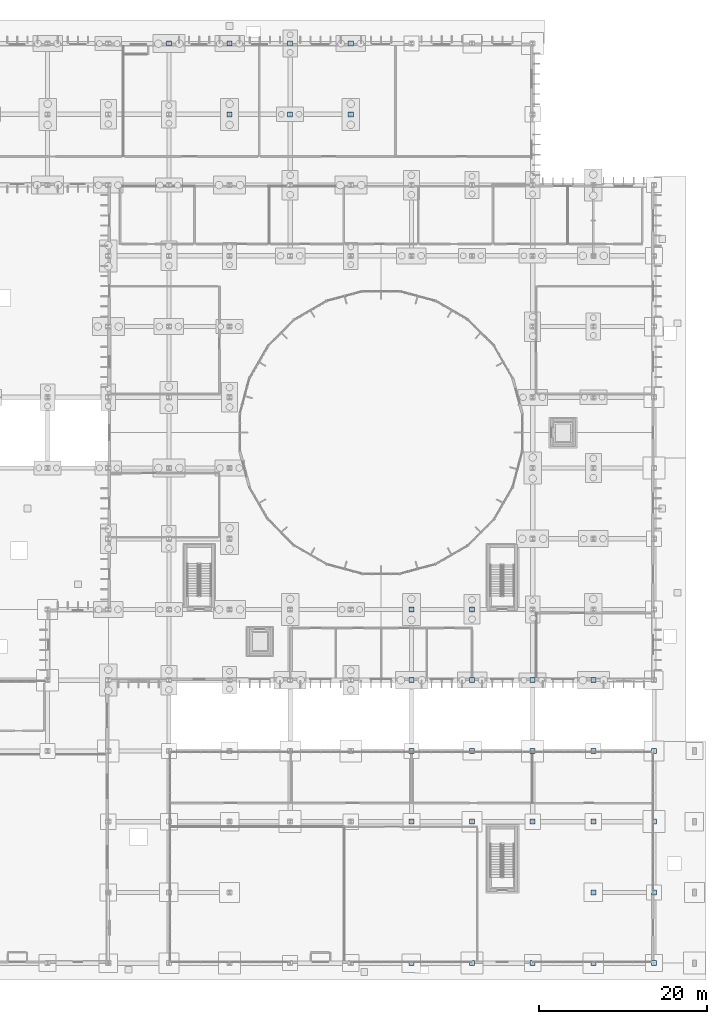
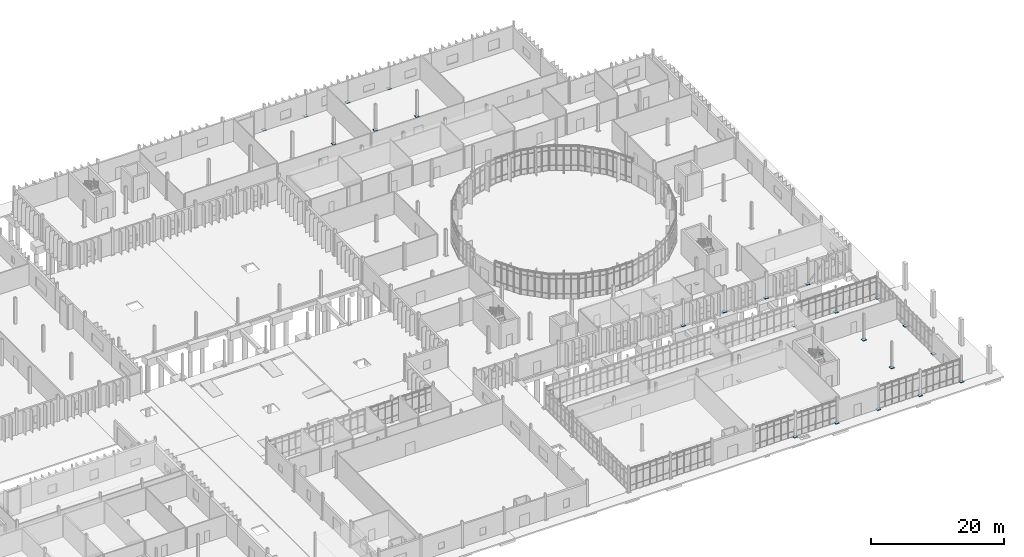
# One storey, part 84 of 118: 30 plates.
"""IFC4 building model written with IfcOpenShell, lengths in metres."""

import ifcopenshell
import ifcopenshell.guid

model = None  # the IFC model being written
_history = None  # IfcOwnerHistory: only IFC2X3 demands one
_inside = {}  # id of a spatial element -> (the spatial element, [elements in it])
_under = {}  # id of a project, library or spatial element -> (it, [spatial elements below it])
_declared = {}  # id of a project -> (the project, [libraries it declares])
_typed = {}  # id of a type object -> (the type object, [elements of that type])
_made_of = {}  # id of a material, layer set ... -> (it, [elements and type objects made of it])


def new_model(schema):
    """Start an empty IFC model of exactly this schema.

    Asked for "IFC4X3", IfcOpenShell would pick the latest addendum, in which some entities
    have other attributes; the version numbers below select the first issue.
    IFC2X3 requires an IfcOwnerHistory on every rooted entity: one is made here for all.
    """
    global model, _history
    if schema == "IFC4X3":
        model = ifcopenshell.file(schema_version=(4, 3, 0, 0))
    else:
        model = ifcopenshell.file(schema=schema)
    _inside.clear()
    _under.clear()
    _declared.clear()
    _typed.clear()
    _made_of.clear()
    _history = None
    if model.schema == "IFC2X3":
        org = make("IfcOrganization", Name="unknown")
        user = make(
            "IfcPersonAndOrganization",
            ThePerson=make("IfcPerson", FamilyName="unknown"),
            TheOrganization=org,
        )
        app = make(
            "IfcApplication",
            ApplicationDeveloper=org,
            Version="unknown",
            ApplicationFullName="unknown",
            ApplicationIdentifier="unknown",
        )
        _history = make(
            "IfcOwnerHistory",
            OwningUser=user,
            OwningApplication=app,
            ChangeAction="ADDED",
            CreationDate=0,
        )
    return model


def make(cls, **values):
    """One entity of the class cls with the attributes given. An attribute that is None is left unset."""
    return model.create_entity(
        cls, **{name: value for name, value in values.items() if value is not None}
    )


def rooted(cls, **values):
    """An entity with a GlobalId (a new one), such as an element, a storey or a relation."""
    return make(cls, GlobalId=ifcopenshell.guid.new(), OwnerHistory=_history, **values)


def si_unit(unit_type, name, prefix=None):
    """IfcSIUnit, for example si_unit("LENGTHUNIT", "METRE", prefix="MILLI")."""
    return make("IfcSIUnit", UnitType=unit_type, Prefix=prefix, Name=name)


def assignment(units):
    """IfcUnitAssignment: the units of a project."""
    return None if units is None else make("IfcUnitAssignment", Units=units)


def point(xyz):
    """IfcCartesianPoint."""
    return None if xyz is None else make("IfcCartesianPoint", Coordinates=xyz)


def direction(xyz):
    """IfcDirection."""
    return None if xyz is None else make("IfcDirection", DirectionRatios=xyz)


def frame(location, z_axis=None, x_axis=None):
    """IfcAxis2Placement3D, a coordinate frame: its origin and axes. An axis left out is left unset."""
    return make(
        "IfcAxis2Placement3D",
        Location=point(location),
        Axis=direction(z_axis),
        RefDirection=direction(x_axis),
    )


def frame_2d(location, x_axis=None):
    """IfcAxis2Placement2D, a coordinate frame in the plane: its origin and x axis."""
    return make(
        "IfcAxis2Placement2D", Location=point(location), RefDirection=direction(x_axis)
    )


def origin():
    """The frame at (0, 0, 0) with its axes left unset."""
    return frame((0.0, 0.0, 0.0))


def origin_2d():
    """The frame at (0, 0) in the plane with its x axis left unset."""
    return frame_2d((0.0, 0.0))


def place(relative_to, where):
    """IfcLocalPlacement: puts the frame where relative to a parent placement (None: the world)."""
    return make(
        "IfcLocalPlacement", PlacementRelTo=relative_to, RelativePlacement=where
    )


def context(
    kind, dimensions, precision=None, world=None, true_north=None, identifier=None
):
    """IfcGeometricRepresentationContext, for example the 3D "Model" context."""
    return make(
        "IfcGeometricRepresentationContext",
        ContextIdentifier=identifier,
        ContextType=kind,
        CoordinateSpaceDimension=dimensions,
        Precision=precision,
        WorldCoordinateSystem=world,
        TrueNorth=true_north,
    )


def subcontext(parent, identifier, kind, view, scale=None):
    """IfcGeometricRepresentationSubContext, for example "Body" below "Model"."""
    return make(
        "IfcGeometricRepresentationSubContext",
        ContextIdentifier=identifier,
        ContextType=kind,
        ParentContext=parent,
        TargetScale=scale,
        TargetView=view,
    )


def project(units=None, contexts=None):
    """IfcProject with its units and contexts."""
    return rooted(
        "IfcProject",
        Name="project",
        RepresentationContexts=contexts,
        UnitsInContext=assignment(units),
    )


def spatial(cls, under=None, at=None, **own):
    """A site, building, storey or space (cls), placed at a placement, below another one or the project."""
    s = rooted(cls, ObjectPlacement=at, **own)
    if under is not None:
        _under.setdefault(under.id(), (under, []))[1].append(s)
    return s


def profile(cls, at=None, kind="AREA", **sizes):
    """A parametric profile (cls). Its sizes go by their IFC names, for example OverallWidth=200.0."""
    return make(cls, ProfileType=kind, Position=at, **sizes)


def rectangle(**sizes):
    """IfcRectangleProfileDef."""
    return profile("IfcRectangleProfileDef", **sizes)


def extrude(swept, where, along, depth):
    """IfcExtrudedAreaSolid: the profile swept, set in the frame where, extruded along a direction by depth."""
    return make(
        "IfcExtrudedAreaSolid",
        SweptArea=swept,
        Position=where,
        ExtrudedDirection=direction(along),
        Depth=depth,
    )


def shape(context_of_items, identifier, shape_type, items):
    """IfcShapeRepresentation: the items that make up one representation, for example the "Body"."""
    return make(
        "IfcShapeRepresentation",
        ContextOfItems=context_of_items,
        RepresentationIdentifier=identifier,
        RepresentationType=shape_type,
        Items=items,
    )


def material(Name=None, Category=None):
    """IfcMaterial."""
    return make("IfcMaterial", Name=Name, Category=Category)


def layer(
    of_material, thickness, ventilated=None, Name=None, Category=None, Priority=None
):
    """IfcMaterialLayer: one layer of a wall or slab, of a material (None: an air gap)."""
    return make(
        "IfcMaterialLayer",
        Material=of_material,
        LayerThickness=thickness,
        IsVentilated=ventilated,
        Name=Name,
        Category=Category,
        Priority=Priority,
    )


def layer_set(layers, Name=None):
    """IfcMaterialLayerSet."""
    return make("IfcMaterialLayerSet", MaterialLayers=layers, LayerSetName=Name)


def made_of(thing, what):
    """Note that an element or type object is made of a material, layer set ...; save() writes the relation."""
    if what is not None:
        _made_of.setdefault(what.id(), (what, []))[1].append(thing)
    return thing


def type_object(cls, material=None, **own):
    """A type object (cls), such as IfcWallType, which elements share."""
    return made_of(rooted(cls, **own), material)


def element(
    cls,
    number,
    at=None,
    inside=None,
    cuts=None,
    type_object=None,
    material=None,
    context=None,
    identifier="Body",
    shape_type=None,
    held_by="IfcProductDefinitionShape",
    body=None,
    shapes=None,
    **own,
):
    """One element of the class cls, such as IfcWall. Its Tag is "e" and its number.

    at: its placement. inside: the storey or other place that contains it. cuts: it is an
    opening in that element (IfcRelVoidsElement). A single representation is given by context,
    identifier, shape_type and body (its items); several are given by shapes. held_by: the class
    of the entity that holds the representations. save() writes the other relations.
    """
    e = rooted(cls, Tag="e%d" % number, ObjectPlacement=at, **own)
    if body is not None:
        shapes = [shape(context, identifier, shape_type, body)]
    if shapes is not None:
        e.Representation = make(held_by, Representations=shapes)
    if inside is not None:
        _inside.setdefault(inside.id(), (inside, []))[1].append(e)
    if cuts is not None:
        rooted(
            "IfcRelVoidsElement", RelatingBuildingElement=cuts, RelatedOpeningElement=e
        )
    if type_object is not None:
        _typed.setdefault(type_object.id(), (type_object, []))[1].append(e)
    return made_of(e, material)


def aggregate(whole, parts):
    """IfcRelAggregates: a whole, such as a stair, and the parts it consists of."""
    return rooted("IfcRelAggregates", RelatingObject=whole, RelatedObjects=parts)


def save(model, path):
    """Write the relations noted so far, then the file.

    IfcRelAggregates (storeys below a building ...), IfcRelContainedInSpatialStructure (elements
    in a storey), IfcRelDefinesByType, IfcRelAssociatesMaterial and IfcRelDeclares: one each for
    every whole, place, type object, material and project.
    """
    for whole, parts in _under.values():
        aggregate(whole, parts)
    for where, things in _inside.values():
        rooted(
            "IfcRelContainedInSpatialStructure",
            RelatedElements=things,
            RelatingStructure=where,
        )
    for kind, things in _typed.values():
        rooted("IfcRelDefinesByType", RelatedObjects=things, RelatingType=kind)
    for what, things in _made_of.values():
        rooted("IfcRelAssociatesMaterial", RelatedObjects=things, RelatingMaterial=what)
    for by, libraries in _declared.values():
        rooted("IfcRelDeclares", RelatingContext=by, RelatedDefinitions=libraries)
    model.write(path)


model = new_model("IFC4")

# Units and contexts
model_context = context("Model", 3, precision=1e-05, world=origin(), true_north=direction((0.0, 1.0)))
body_context = subcontext(model_context, "Body", "Model", "MODEL_VIEW")
ifc_project = project(units=[si_unit("LENGTHUNIT", "METRE"), si_unit("AREAUNIT", "SQUARE_METRE"), si_unit("VOLUMEUNIT", "CUBIC_METRE"), si_unit("PLANEANGLEUNIT", "RADIAN"), si_unit("MASSUNIT", "GRAM", prefix="KILO")], contexts=[model_context])

# Site, building, storey
site_placement = place(None, origin())
site = spatial("IfcSite", under=ifc_project, at=site_placement, CompositionType="ELEMENT")
building_placement = place(site_placement, origin())
building = spatial("IfcBuilding", under=site, at=building_placement, Name="Qelthora Terrace Specialist Clinic", CompositionType="ELEMENT")
storey_placement = place(building_placement, origin())
storey = spatial("IfcBuildingStorey", under=building, at=storey_placement, Name="L00", CompositionType="ELEMENT", Elevation=0.0)

# Plates
ifc_material = material(Name="Steel S355", Category="steel")
ifc_layer = layer(ifc_material, 0.030029296875)
ifc_layer_set = layer_set([ifc_layer], Name="Steel S355")
plate_type = type_object("IfcPlateType", Name="PLT-BASE-600X600X30", PredefinedType="USERDEFINED", material=ifc_layer_set)
for number, where, z_axis, x_axis, name in (
    (1, (100.800048828125, 109.199951171875, 0.0), (0.0, 0.0, 1.0), (1.0, 0.0, 0.0), "Steel column base plate BPLT-141"),
    (2, (108.0, 100.800048828125, 0.0), (0.0, 0.0, 1.0), (1.0, 0.0, 0.0), "Steel column base plate BPLT-154"),
    (3, (108.0, 109.199951171875, 0.0), (0.0, 0.0, 1.0), (1.0, 0.0, 0.0), "Steel column base plate BPLT-155"),
    (4, (115.199951171875, 100.800048828125, 0.0), (0.0, 0.0, 1.0), (1.0, 0.0, 0.0), "Steel column base plate BPLT-163"),
    (5, (115.199951171875, 109.199951171875, 0.0), (0.0, 0.0, 1.0), (1.0, 0.0, 0.0), "Steel column base plate BPLT-164"),
    (6, (122.39990234375, 100.800048828125, 0.0), (0.0, 0.0, 1.0), (1.0, 0.0, 0.0), "Steel column base plate BPLT-172"),
    (7, (122.39990234375, 109.199951171875, 0.0), (0.0, 0.0, 1.0), (1.0, 0.0, 0.0), "Steel column base plate BPLT-173"),
    (8, (129.60009765625, 0.0, 0.0), (0.0, 0.0, 1.0), (1.0, 0.0, 0.0), "Steel column base plate BPLT-174"),
    (9, (129.60009765625, 16.800048828125, 0.0), (0.0, 0.0, 1.0), (1.0, 0.0, 0.0), "Steel column base plate BPLT-175"),
    (10, (129.60009765625, 25.199951171875, 0.0), (0.0, 0.0, 1.0), (1.0, 0.0, 0.0), "Steel column base plate BPLT-176"),
    (11, (129.60009765625, 33.60009765625, 0.0), (0.0, 0.0, 1.0), (1.0, 0.0, 0.0), "Steel column base plate BPLT-177"),
    (12, (129.60009765625, 42.0, 0.0), (0.0, 0.0, 1.0), (1.0, 0.0, 0.0), "Steel column base plate BPLT-178"),
    (13, (136.800048828125, 0.0, 0.0), (0.0, 0.0, 1.0), (1.0, 0.0, 0.0), "Steel column base plate BPLT-182"),
    (14, (136.800048828125, 16.800048828125, 0.0), (0.0, 0.0, 1.0), (1.0, 0.0, 0.0), "Steel column base plate BPLT-183"),
    (15, (136.800048828125, 25.199951171875, 0.0), (0.0, 0.0, 1.0), (1.0, 0.0, 0.0), "Steel column base plate BPLT-184"),
    (16, (136.800048828125, 33.60009765625, 0.0), (0.0, 0.0, 1.0), (1.0, 0.0, 0.0), "Steel column base plate BPLT-185"),
    (17, (136.800048828125, 42.0, 0.0), (0.0, 0.0, 1.0), (1.0, 0.0, 0.0), "Steel column base plate BPLT-186"),
    (18, (144.0, 0.0, 0.0), (0.0, 0.0, 1.0), (1.0, 0.0, 0.0), "Steel column base plate BPLT-190"),
    (19, (144.0, 16.800048828125, 0.0), (0.0, 0.0, 1.0), (1.0, 0.0, 0.0), "Steel column base plate BPLT-191"),
    (20, (144.0, 25.199951171875, 0.0), (0.0, 0.0, 1.0), (1.0, 0.0, 0.0), "Steel column base plate BPLT-192"),
    (21, (144.0, 33.60009765625, 0.0), (0.0, 0.0, 1.0), (1.0, 0.0, 0.0), "Steel column base plate BPLT-193"),
    (22, (151.199951171875, 0.0, 0.0), (0.0, 0.0, 1.0), (1.0, 0.0, 0.0), "Steel column base plate BPLT-203"),
    (23, (151.199951171875, 8.39990234375, 0.0), (0.0, 0.0, 1.0), (1.0, 0.0, 0.0), "Steel column base plate BPLT-204"),
    (24, (151.199951171875, 16.800048828125, 0.0), (0.0, 0.0, 1.0), (1.0, 0.0, 0.0), "Steel column base plate BPLT-205"),
    (25, (151.199951171875, 25.199951171875, 0.0), (0.0, 0.0, 1.0), (1.0, 0.0, 0.0), "Steel column base plate BPLT-206"),
    (26, (151.199951171875, 33.60009765625, 0.0), (0.0, 0.0, 1.0), (1.0, 0.0, 0.0), "Steel column base plate BPLT-207"),
    (27, (158.39990234375, 0.0, 0.0), (0.0, 0.0, 1.0), (1.0, 0.0, 0.0), "Steel column base plate BPLT-215"),
    (28, (158.39990234375, 8.39990234375, 0.0), (0.0, 0.0, 1.0), (1.0, 0.0, 0.0), "Steel column base plate BPLT-216"),
    (29, (158.39990234375, 16.800048828125, 0.0), (0.0, 0.0, 1.0), (1.0, 0.0, 0.0), "Steel column base plate BPLT-217"),
    (30, (158.39990234375, 25.199951171875, 0.0), (0.0, 0.0, 1.0), (1.0, 0.0, 0.0), "Steel column base plate BPLT-218"),
):
    element("IfcPlate", number, at=place(storey_placement, frame(where, z_axis=z_axis, x_axis=x_axis)), inside=storey, type_object=plate_type, Name=name, ObjectType="GUSSET PLATE", PredefinedType="USERDEFINED", context=body_context, shape_type="SweptSolid", body=[
        extrude(rectangle(XDim=0.60009765625, YDim=0.60009765625, at=origin_2d()), origin(), (0.0, 0.0, 1.0), 0.030029296875),
    ])

save(model, "model.ifc")
